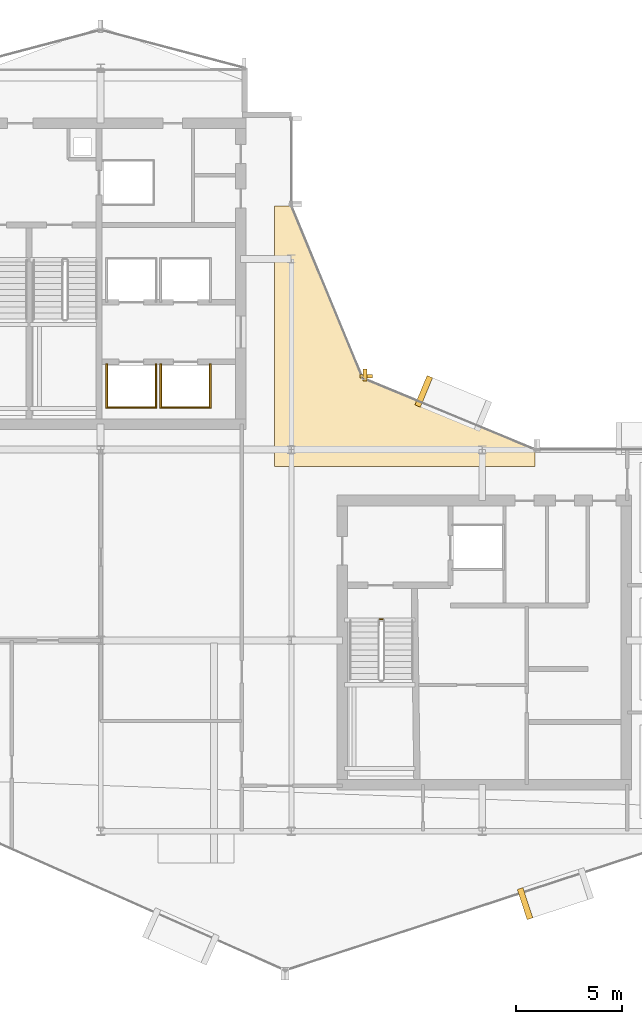
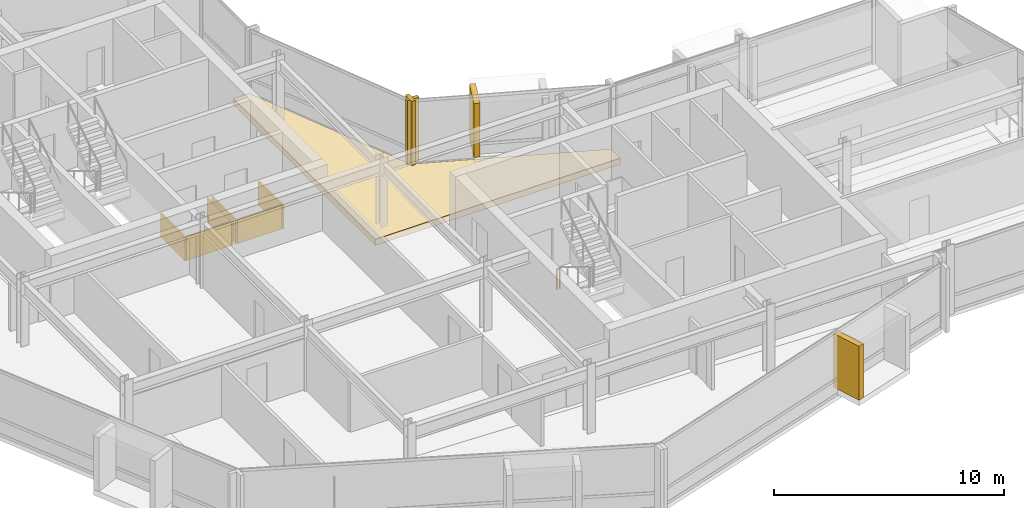
# One storey, part 26 of 28: 11 coverings, 1 railing.
"""IFC4 building model written with IfcOpenShell, lengths in metres."""

from ifc_helpers import new_model, si_unit, direction, frame, origin, origin_2d, place, context, subcontext, project, spatial, polyline, rectangle, circle, outline, extrude, material, layer, layer_set, type_object, element, save


model = new_model("IFC4")

# Units and contexts
model_context = context("Model", 3, precision=1e-05, world=origin(), true_north=direction((0.0, 1.0)))
body_context = subcontext(model_context, "Body", "Model", "MODEL_VIEW")
ifc_project = project(units=[si_unit("LENGTHUNIT", "METRE"), si_unit("AREAUNIT", "SQUARE_METRE"), si_unit("VOLUMEUNIT", "CUBIC_METRE"), si_unit("PLANEANGLEUNIT", "RADIAN"), si_unit("MASSUNIT", "GRAM", prefix="KILO")], contexts=[model_context])

# Site, building, storey
site_placement = place(None, origin())
site = spatial("IfcSite", under=ifc_project, at=site_placement, CompositionType="ELEMENT")
building_placement = place(site_placement, origin())
building = spatial("IfcBuilding", under=site, at=building_placement, Name="Solvaryn Broadcast Tower", CompositionType="ELEMENT")
storey_placement = place(building_placement, frame((0.0, 0.0, 206.199951171875)))
storey = spatial("IfcBuildingStorey", under=building, at=storey_placement, Name="L51", CompositionType="ELEMENT", Elevation=206.199951171875)

# Coverings
ifc_material_1 = material(Name="Fire-Rated Gypsum Shaftwall Liner", Category="concrete")
ifc_layer_1 = layer(ifc_material_1, 0.080078125)
ifc_layer_set_1 = layer_set([ifc_layer_1], Name="CV-SHAFT-LINER")
covering_type_1 = type_object("IfcCoveringType", Name="CV-SHAFT-LINER", PredefinedType="CLADDING", material=ifc_layer_set_1)
covering_1_placement = place(storey_placement, frame((19.449951171875, 28.985107421875, 0.0), z_axis=(0.0, 0.0, 1.0), x_axis=(1.0, 0.0, 0.0)))
element("IfcCovering", 1, at=covering_1_placement, inside=storey, type_object=covering_type_1, Name="L51 PH1 Hoistway Shaft Liner South", PredefinedType="CLADDING", context=body_context, shape_type="SweptSolid", body=[
    extrude(rectangle(XDim=2.409912109375, YDim=0.080078125, at=origin_2d()), origin(), (0.0, 0.0, 1.0), 1.25),
])
for number, where, z_axis, x_axis, name in (
    (2, (20.614990234375, 30.0, 0.0), (0.0, 0.0, 1.0), (1.0, 0.0, 0.0), "L51 PH1 Hoistway Shaft Liner East"),
    (3, (18.284912109375, 30.0, 0.0), (0.0, 0.0, 1.0), (1.0, 0.0, 0.0), "L51 PH1 Hoistway Shaft Liner West"),
):
    element("IfcCovering", number, at=place(storey_placement, frame(where, z_axis=z_axis, x_axis=x_axis)), inside=storey, type_object=covering_type_1, Name=name, PredefinedType="CLADDING", context=body_context, shape_type="SweptSolid", body=[
        extrude(rectangle(XDim=0.080078125, YDim=2.110107421875, at=origin_2d()), origin(), (0.0, 0.0, 1.0), 1.25),
    ])
covering_2_placement = place(storey_placement, frame((22.0, 28.985107421875, 0.0), z_axis=(0.0, 0.0, 1.0), x_axis=(1.0, 0.0, 0.0)))
element("IfcCovering", 4, at=covering_2_placement, inside=storey, type_object=covering_type_1, Name="L51 PH2 Hoistway Shaft Liner South", PredefinedType="CLADDING", context=body_context, shape_type="SweptSolid", body=[
    extrude(rectangle(XDim=2.409912109375, YDim=0.080078125, at=origin_2d()), origin(), (0.0, 0.0, 1.0), 1.25),
])
for number, where, z_axis, x_axis, name in (
    (5, (23.1650390625, 30.0, 0.0), (0.0, 0.0, 1.0), (1.0, 0.0, 0.0), "L51 PH2 Hoistway Shaft Liner East"),
    (6, (20.8349609375, 30.0, 0.0), (0.0, 0.0, 1.0), (1.0, 0.0, 0.0), "L51 PH2 Hoistway Shaft Liner West"),
):
    element("IfcCovering", number, at=place(storey_placement, frame(where, z_axis=z_axis, x_axis=x_axis)), inside=storey, type_object=covering_type_1, Name=name, PredefinedType="CLADDING", context=body_context, shape_type="SweptSolid", body=[
        extrude(rectangle(XDim=0.080078125, YDim=2.110107421875, at=origin_2d()), origin(), (0.0, 0.0, 1.0), 1.25),
    ])
ifc_material_2 = material(Name="Glazed Architectural Terracotta Rainscreen Cladding", Category="masonry")
ifc_layer_2 = layer(ifc_material_2, 0.280029296875)
ifc_layer_set_2 = layer_set([ifc_layer_2], Name="CV-TC-CLAD")
covering_type_2 = type_object("IfcCoveringType", Name="CV-TC-CLAD", PredefinedType="CLADDING", material=ifc_layer_set_2)
for number, where, z_axis, x_axis, name in (
    (7, (38.01904296875, 5.584716796875, 0.27978515625), (0.0, 0.0, 1.0), (0.950244253402, 0.311505792684, 0.0), "L51 Projecting Stone Window Box Cheek 4-1"),
    (8, (33.241943359375, 29.751953125, 0.27978515625), (0.0, 0.0, 1.0), (-0.923879532511, 0.382683432365, 0.0), "L51 Projecting Stone Window Box Cheek 5-2"),
):
    element("IfcCovering", number, at=place(storey_placement, frame(where, z_axis=z_axis, x_axis=x_axis)), inside=storey, type_object=covering_type_2, Name=name, PredefinedType="CLADDING", context=body_context, shape_type="SweptSolid", body=[
        extrude(rectangle(XDim=0.280029296875, YDim=1.5, at=origin_2d()), origin(), (0.0, 0.0, 1.0), 2.860107421875),
    ])
ifc_material_3 = material(Name="Extruded Architectural Terracotta Fin", Category="masonry")
ifc_layer_3 = layer(ifc_material_3, 0.179931640625)
ifc_layer_set_3 = layer_set([ifc_layer_3], Name="CV-TC-FIN")
covering_type_3 = type_object("IfcCoveringType", Name="CV-TC-FIN", PredefinedType="USERDEFINED", material=ifc_layer_set_3)
covering_3_placement = place(storey_placement, frame((30.464599609375, 30.52294921875, 0.0), z_axis=(0.0, 0.0, 1.0), x_axis=(1.0, 0.0, 0.0)))
element("IfcCovering", 9, at=covering_3_placement, inside=storey, type_object=covering_type_3, Name="L51 Terracotta Vertical Fin FIN-L51-CN1-M01", ObjectType="FIN", PredefinedType="USERDEFINED", context=body_context, shape_type="SweptSolid", body=[
    extrude(rectangle(XDim=0.179931640625, YDim=0.580078125, at=origin_2d()), origin(), (0.0, 0.0, 1.0), 3.419921875),
])
covering_4_placement = place(storey_placement, frame((30.52294921875, 30.464599609375, 0.0), z_axis=(0.0, 0.0, 1.0), x_axis=(1.0, 0.0, 0.0)))
element("IfcCovering", 10, at=covering_4_placement, inside=storey, type_object=covering_type_3, Name="L51 Terracotta Vertical Fin FIN-L51-CN2-M00", ObjectType="FIN", PredefinedType="USERDEFINED", context=body_context, shape_type="SweptSolid", body=[
    extrude(rectangle(XDim=0.580078125, YDim=0.179931640625, at=origin_2d()), origin(), (0.0, 0.0, 1.0), 3.419921875),
])
ifc_material_4 = material(Name="Sculpted Architectural Terracotta Wave Fascia", Category="masonry")
ifc_layer_4 = layer(ifc_material_4, 0.340087890625)
ifc_layer_set_4 = layer_set([ifc_layer_4], Name="CV-WAVE-TRAY")
covering_type_4 = type_object("IfcCoveringType", Name="CV-WAVE-TRAY", PredefinedType="CLADDING", material=ifc_layer_set_4)
covering_5_placement = place(storey_placement, frame((0.0, 0.0, -0.300048828125)))
element("IfcCovering", 11, at=covering_5_placement, inside=storey, type_object=covering_type_4, Name="L51 Concave Canyon Floor Apron", PredefinedType="CLADDING", context=body_context, shape_type="SweptSolid", body=[
    extrude(outline(polyline([(26.199951171875, 26.199951171875), (38.5, 26.199951171875), (38.5, 27.0), (30.367919921875, 30.367919921875), (27.0, 38.5), (26.199951171875, 38.5), (26.199951171875, 26.199951171875)])), origin(), (0.0, 0.0, 1.0), 0.330078125),
])

# Railing
ifc_material_5 = material(Name="Painted Steel Stair Well Guard", Category="steel")
railing_type = type_object("IfcRailingType", Name="RL-STAIR-GUARD", PredefinedType="BALUSTRADE", material=ifc_material_5)
railing_placement = place(storey_placement, frame((31.159912109375, 19.010009765625, 0.0)))
element("IfcRailing", 12, at=railing_placement, inside=storey, type_object=railing_type, Name="L51 ST3 stair guard 4", PredefinedType="BALUSTRADE", context=body_context, shape_type="SweptSolid", body=[
    extrude(circle(Radius=0.02392578125, at=origin_2d()), frame((0.0, 0.0, 1.076171875), z_axis=(1.0, 0.0, 0.0), x_axis=(0.0, 1.0, 0.0)), (0.0, 0.0, 1.0), 0.150146484375),
    extrude(circle(Radius=0.02099609375, at=origin_2d()), origin(), (0.0, 0.0, 1.0), 1.052001953125),
    extrude(circle(Radius=0.02099609375, at=origin_2d()), frame((0.150146484375, 0.0, 0.0)), (0.0, 0.0, 1.0), 1.052001953125),
])

save(model, "model.ifc")
